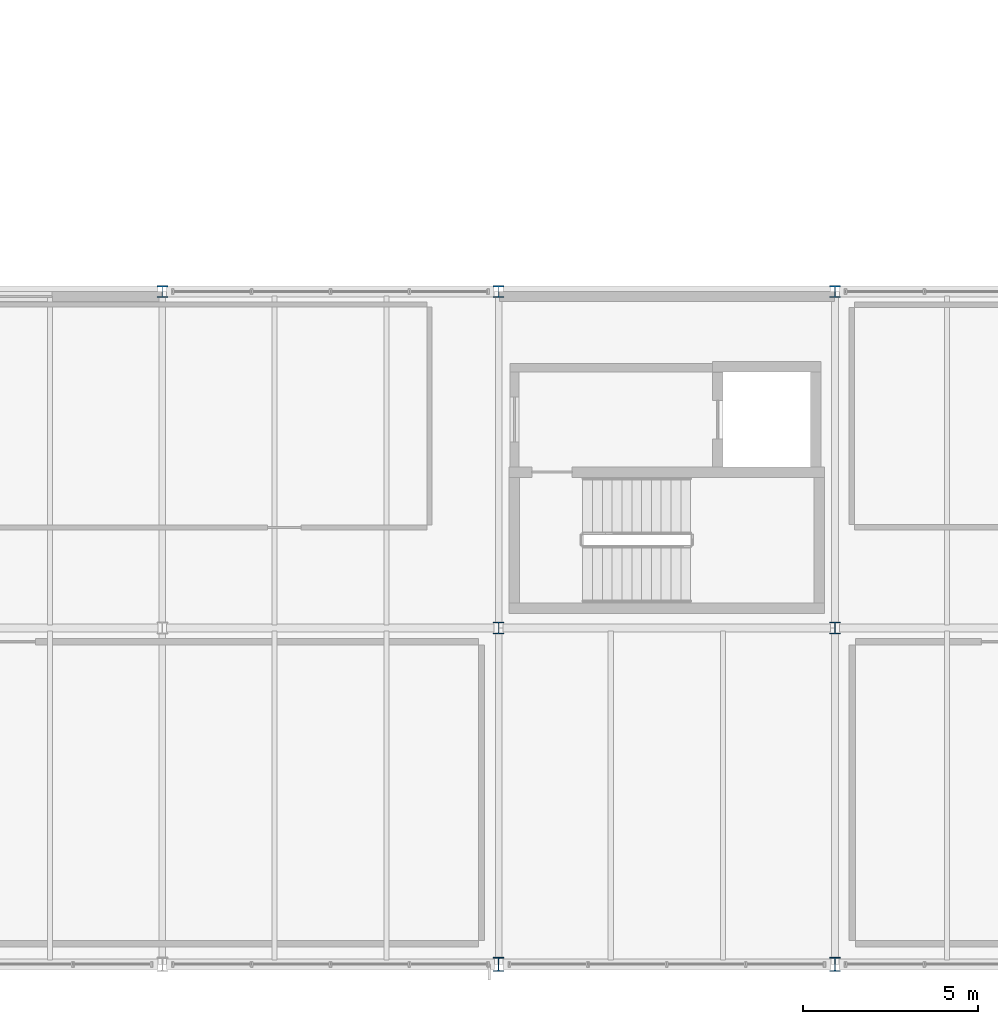
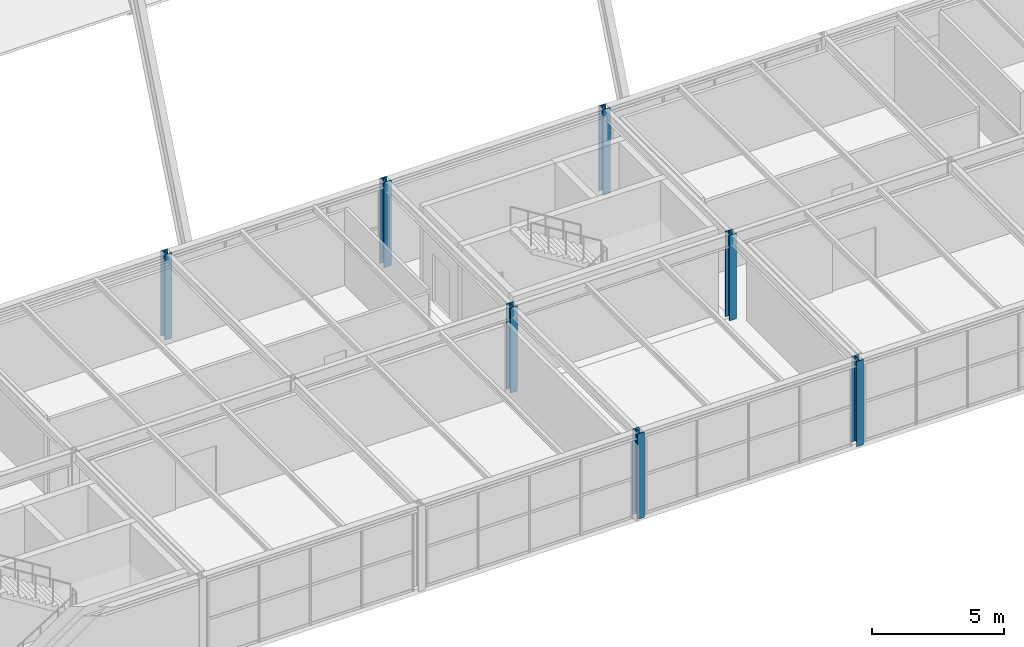
# One storey, part 2 of 126: 7 columns.
"""IFC4 building model written with IfcOpenShell, lengths in metres."""

from ifc_helpers import new_model, si_unit, direction, frame, origin, origin_2d, place, context, subcontext, project, spatial, i_section, extrude, material, material_profile, profile_set, type_object, element, save


model = new_model("IFC4")

# Units and contexts
model_context = context("Model", 3, precision=1e-05, world=origin(), true_north=direction((0.0, 1.0)))
body_context = subcontext(model_context, "Body", "Model", "MODEL_VIEW")
ifc_project = project(units=[si_unit("LENGTHUNIT", "METRE"), si_unit("AREAUNIT", "SQUARE_METRE"), si_unit("VOLUMEUNIT", "CUBIC_METRE"), si_unit("PLANEANGLEUNIT", "RADIAN"), si_unit("MASSUNIT", "GRAM", prefix="KILO")], contexts=[model_context])

# Site, building, storey
site_placement = place(None, origin())
site = spatial("IfcSite", under=ifc_project, at=site_placement, CompositionType="ELEMENT")
building_placement = place(site_placement, origin())
building = spatial("IfcBuilding", under=site, at=building_placement, Name="Coralgate Yard Interchange", CompositionType="ELEMENT")
storey_placement = place(building_placement, frame((0.0, 0.0, 10.5)))
storey = spatial("IfcBuildingStorey", under=building, at=storey_placement, Name="L02", CompositionType="ELEMENT", Elevation=10.5)

# Columns
ifc_material = material(Name="Structural steel S355J2", Category="steel")
ifc_material_profile_1 = material_profile(ifc_material, i_section(OverallWidth=0.300048828125, OverallDepth=0.39990234375, WebThickness=0.013427734375, FlangeThickness=0.02392578125, FilletRadius=0.027099609375, at=origin_2d()), Name="HEB 400")
ifc_profile_set_1 = profile_set([ifc_material_profile_1], Name="Structural steel S355J2")
column_type_1 = type_object("IfcColumnType", Name="COL-SC-11", PredefinedType="COLUMN", material=ifc_profile_set_1)
for number, where, z_axis, x_axis, name in (
    (1, (48.0, 0.0, 0.0), (0.0, 0.0, 1.0), (1.0, 0.0, 0.0), "L02 structural column 5-0"),
    (2, (57.60009765625, 0.0, 0.0), (0.0, 0.0, 1.0), (1.0, 0.0, 0.0), "L02 structural column 6-0"),
):
    element("IfcColumn", number, at=place(storey_placement, frame(where, z_axis=z_axis, x_axis=x_axis)), inside=storey, type_object=column_type_1, Name=name, PredefinedType="COLUMN", context=body_context, shape_type="SweptSolid", body=[
        extrude(i_section(OverallWidth=0.300048828125, OverallDepth=0.39990234375, WebThickness=0.013427734375, FlangeThickness=0.02392578125, FilletRadius=0.027099609375, at=origin_2d()), origin(), (0.0, 0.0, 1.0), 3.949951171875),
    ])
ifc_material_profile_2 = material_profile(ifc_material, i_section(OverallWidth=0.314453125, OverallDepth=0.33984375, WebThickness=0.01904296875, FlangeThickness=0.031494140625, FilletRadius=0.01513671875, at=origin_2d()), Name="UC 305x305x198")
ifc_profile_set_2 = profile_set([ifc_material_profile_2], Name="Structural steel S355J2")
column_type_2 = type_object("IfcColumnType", Name="COL-SC-4", PredefinedType="COLUMN", material=ifc_profile_set_2)
for number, where, z_axis, x_axis, name in (
    (3, (38.39990234375, 19.199951171875, 0.0), (0.0, 0.0, 1.0), (1.0, 0.0, 0.0), "L02 structural column 4-2"),
    (4, (48.0, 9.60009765625, 0.0), (0.0, 0.0, 1.0), (1.0, 0.0, 0.0), "L02 structural column 5-1"),
    (5, (48.0, 19.199951171875, 0.0), (0.0, 0.0, 1.0), (1.0, 0.0, 0.0), "L02 structural column 5-2"),
    (6, (57.60009765625, 9.60009765625, 0.0), (0.0, 0.0, 1.0), (1.0, 0.0, 0.0), "L02 structural column 6-1"),
    (7, (57.60009765625, 19.199951171875, 0.0), (0.0, 0.0, 1.0), (1.0, 0.0, 0.0), "L02 structural column 6-2"),
):
    element("IfcColumn", number, at=place(storey_placement, frame(where, z_axis=z_axis, x_axis=x_axis)), inside=storey, type_object=column_type_2, Name=name, PredefinedType="COLUMN", context=body_context, shape_type="SweptSolid", body=[
        extrude(i_section(OverallWidth=0.314453125, OverallDepth=0.33984375, WebThickness=0.01904296875, FlangeThickness=0.031494140625, FilletRadius=0.01513671875, at=origin_2d()), origin(), (0.0, 0.0, 1.0), 3.949951171875),
    ])

save(model, "model.ifc")
